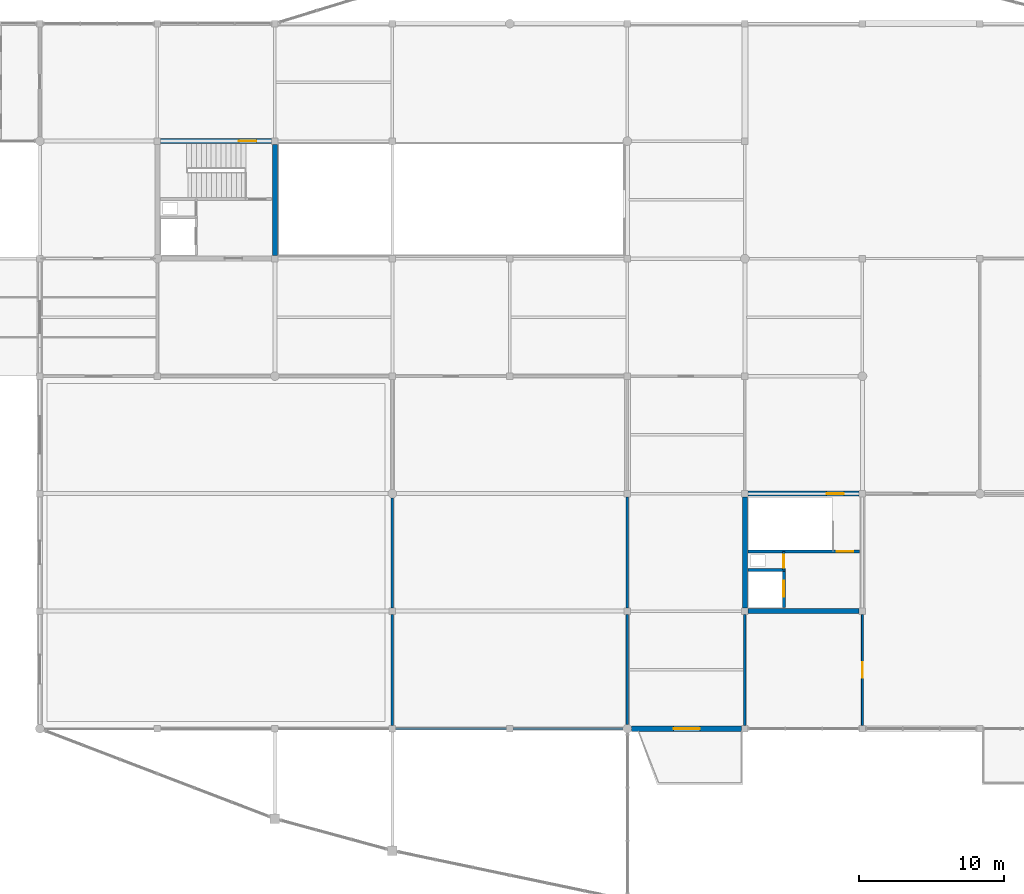
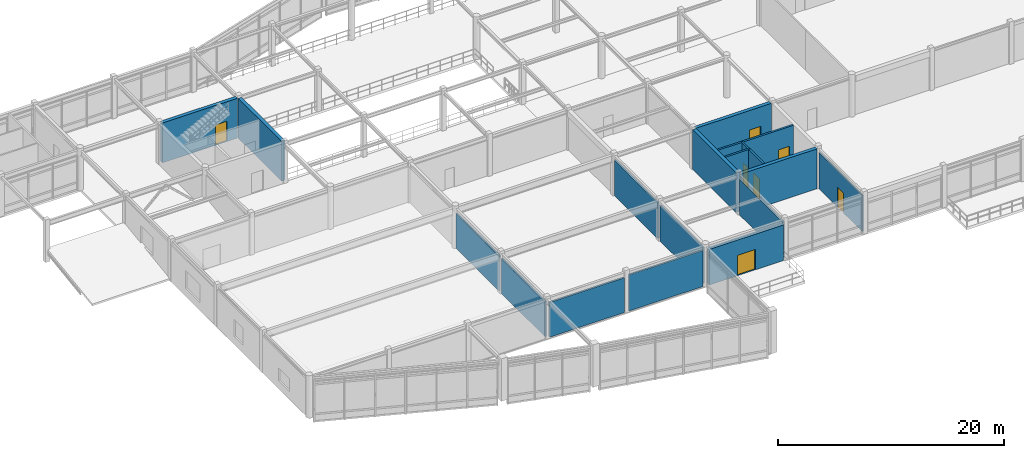
# One storey, part 64 of 93: 18 walls, 7 doors, 7 openings.
"""IFC4 building model written with IfcOpenShell, lengths in metres."""

from ifc_helpers import new_model, si_unit, direction, frame, frame_2d, origin, place, context, subcontext, project, spatial, rectangle, extrude, material, layer, layer_set, type_object, element, fill, save


model = new_model("IFC4")

# Units and contexts
model_context = context("Model", 3, precision=1e-05, world=origin(), true_north=direction((0.0, 1.0)))
body_context = subcontext(model_context, "Body", "Model", "MODEL_VIEW")
ifc_project = project(units=[si_unit("LENGTHUNIT", "METRE"), si_unit("AREAUNIT", "SQUARE_METRE"), si_unit("VOLUMEUNIT", "CUBIC_METRE"), si_unit("PLANEANGLEUNIT", "RADIAN"), si_unit("MASSUNIT", "GRAM", prefix="KILO")], contexts=[model_context])

# Site, building, storey
site_placement = place(None, origin())
site = spatial("IfcSite", under=ifc_project, at=site_placement, CompositionType="ELEMENT")
building_placement = place(site_placement, origin())
building = spatial("IfcBuilding", under=site, at=building_placement, Name="Vaudrelin Polytechnic", CompositionType="ELEMENT")
storey_placement = place(building_placement, frame((0.0, 0.0, 5.10009765625)))
storey = spatial("IfcBuildingStorey", under=building, at=storey_placement, Name="L01", CompositionType="ELEMENT", Elevation=5.10009765625)

# Wall, opening, door
ifc_material_1 = material(Name="Precast concrete 35 MPa with standing-seam zinc rainscreen", Category="concrete")
ifc_layer_1 = layer(ifc_material_1, 0.360107421875)
ifc_layer_set_1 = layer_set([ifc_layer_1], Name="Precast concrete 35 MPa with standing-seam zinc rainscreen")
wall_type_1 = type_object("IfcWallType", Name="WAL-EW-ZINC360", PredefinedType="STANDARD", material=ifc_layer_set_1)
wall_1_placement = place(storey_placement, frame((81.298095703125, 0.0, 0.0), z_axis=(0.0, 0.0, 1.0), x_axis=(1.0, 0.0, 0.0)))
wall_1 = element("IfcWall", 1, at=wall_1_placement, inside=storey, type_object=wall_type_1, Name="Exterior wall L01 S_V3_00", PredefinedType="STANDARD", context=body_context, shape_type="SweptSolid", body=[
    extrude(rectangle(XDim=7.578857421875, YDim=0.360107421875, at=frame_2d((3.78955078125, 0.0))), origin(), (0.0, 0.0, 1.0), 3.848876953125),
])
opening_1_placement = place(wall_1_placement, frame((4.689453125, 0.0, 0.0), z_axis=(0.0, 0.0, 1.0), x_axis=(-1.0, 0.0, 0.0)))
opening_1 = element("IfcOpeningElement", 2, at=opening_1_placement, cuts=wall_1, Name="Opening TD-01-01", PredefinedType="OPENING", context=body_context, shape_type="SweptSolid", body=[
    extrude(rectangle(XDim=1.800048828125, YDim=2.199951171875, at=frame_2d((0.89990234375, 1.10009765625))), frame((0.0, 0.18994140625, 0.0), z_axis=(0.0, -1.0, 0.0), x_axis=(1.0, 0.0, 0.0)), (0.0, 0.0, 1.0), 0.380126953125),
])
ifc_material_2 = material(Name="Thermally broken anodised aluminium AA 6063-T6", Category="aluminium")
door_type_1 = type_object("IfcDoorType", Name="DOR-ED-03", OperationType="DOUBLE_SWING_LEFT", PredefinedType="DOOR", material=ifc_material_2)
door_1_placement = place(opening_1_placement, origin())
door_1 = element("IfcDoor", 3, at=door_1_placement, inside=storey, type_object=door_type_1, Name="Exterior exit door TD-01-01", OperationType="DOUBLE_SWING_LEFT", OverallHeight=2.199951171875, OverallWidth=1.800048828125, PredefinedType="DOOR", context=body_context, shape_type="SweptSolid", body=[
    extrude(rectangle(XDim=1.800048828125, YDim=2.199951171875, at=frame_2d((0.89990234375, 1.10009765625))), frame((0.0, 0.02490234375, 0.0), z_axis=(0.0, -1.0, 0.0), x_axis=(1.0, 0.0, 0.0)), (0.0, 0.0, 1.0), 0.050048828125),
])
fill(opening_1, door_1)

# Walls
ifc_material_3 = material(Name="Acoustic double-stud gypsum & mineral-wool partition", Category="gypsum")
ifc_layer_2 = layer(ifc_material_3, 0.179931640625)
ifc_layer_set_2 = layer_set([ifc_layer_2], Name="Acoustic double-stud gypsum & mineral-wool partition")
wall_type_2 = type_object("IfcWallType", Name="WAL-PW-AC180", PredefinedType="PARTITIONING", material=ifc_layer_set_2)
wall_2_placement = place(storey_placement, frame((64.800048828125, 0.222900390625, 0.0), z_axis=(0.0, 0.0, 1.0), x_axis=(0.0, 1.0, 0.0)))
element("IfcWall", 4, at=wall_2_placement, inside=storey, type_object=wall_type_2, Name="Partition L01-007 E", PredefinedType="PARTITIONING", context=body_context, shape_type="SweptSolid", body=[
    extrude(rectangle(XDim=7.654052734375, YDim=0.179931640625, at=frame_2d((3.8271484375, 0.0))), origin(), (0.0, 0.0, 1.0), 3.762939453125),
])
wall_3_placement = place(storey_placement, frame((64.800048828125, 8.322998046875, 0.0), z_axis=(0.0, 0.0, 1.0), x_axis=(0.0, 1.0, 0.0)))
element("IfcWall", 5, at=wall_3_placement, inside=storey, type_object=wall_type_2, Name="Partition L01-007 E", PredefinedType="PARTITIONING", context=body_context, shape_type="SweptSolid", body=[
    extrude(rectangle(XDim=7.5791015625, YDim=0.179931640625, at=frame_2d((3.78955078125, 0.0))), origin(), (0.0, 0.0, 1.0), 3.77880859375),
])
wall_4_placement = place(storey_placement, frame((81.0, 0.298095703125, 0.0), z_axis=(0.0, 0.0, 1.0), x_axis=(0.0, 1.0, 0.0)))
element("IfcWall", 6, at=wall_4_placement, inside=storey, type_object=wall_type_2, Name="Partition L01-008 E", PredefinedType="PARTITIONING", context=body_context, shape_type="SweptSolid", body=[
    extrude(rectangle(XDim=7.578857421875, YDim=0.179931640625, at=frame_2d((3.78955078125, 0.0))), origin(), (0.0, 0.0, 1.0), 3.848876953125),
])
wall_5_placement = place(storey_placement, frame((81.0, 8.322998046875, 0.0), z_axis=(0.0, 0.0, 1.0), x_axis=(0.0, 1.0, 0.0)))
element("IfcWall", 7, at=wall_5_placement, inside=storey, type_object=wall_type_2, Name="Partition L01-008 E", PredefinedType="PARTITIONING", context=body_context, shape_type="SweptSolid", body=[
    extrude(rectangle(XDim=7.654052734375, YDim=0.179931640625, at=frame_2d((3.8271484375, 0.0))), origin(), (0.0, 0.0, 1.0), 3.851806640625),
])
wall_6_placement = place(storey_placement, frame((65.02294921875, 0.0, 0.0), z_axis=(0.0, 0.0, 1.0), x_axis=(1.0, 0.0, 0.0)))
element("IfcWall", 8, at=wall_6_placement, inside=storey, type_object=wall_type_2, Name="Partition L01-008 S", PredefinedType="PARTITIONING", context=body_context, shape_type="SweptSolid", body=[
    extrude(rectangle(XDim=7.654052734375, YDim=0.179931640625, at=frame_2d((3.8271484375, 0.0))), origin(), (0.0, 0.0, 1.0), 3.762939453125),
])
wall_7_placement = place(storey_placement, frame((73.123046875, 0.0, 0.0), z_axis=(0.0, 0.0, 1.0), x_axis=(1.0, 0.0, 0.0)))
element("IfcWall", 9, at=wall_7_placement, inside=storey, type_object=wall_type_2, Name="Partition L01-008 S", PredefinedType="PARTITIONING", context=body_context, shape_type="SweptSolid", body=[
    extrude(rectangle(XDim=7.578857421875, YDim=0.179931640625, at=frame_2d((3.78955078125, 0.0))), origin(), (0.0, 0.0, 1.0), 3.89697265625),
])
wall_8_placement = place(storey_placement, frame((89.10009765625, 0.222900390625, 0.0), z_axis=(0.0, 0.0, 1.0), x_axis=(0.0, 1.0, 0.0)))
element("IfcWall", 10, at=wall_8_placement, inside=storey, type_object=wall_type_2, Name="Partition L01-014 E", PredefinedType="PARTITIONING", context=body_context, shape_type="SweptSolid", body=[
    extrude(rectangle(XDim=7.654052734375, YDim=0.179931640625, at=frame_2d((3.8271484375, 0.0))), origin(), (0.0, 0.0, 1.0), 3.851806640625),
])

# Wall, opening, door
ifc_material_4 = material(Name="Fire-rated steel-stud gypsum compartment wall", Category="steel")
ifc_layer_3 = layer(ifc_material_4, 0.14990234375)
ifc_layer_set_3 = layer_set([ifc_layer_3], Name="Fire-rated steel-stud gypsum compartment wall")
wall_type_3 = type_object("IfcWallType", Name="WAL-PW-FIRE60", PredefinedType="PARTITIONING", material=ifc_layer_set_3)
wall_9_placement = place(storey_placement, frame((91.780029296875, 10.949951171875, 0.0), z_axis=(0.0, 0.0, 1.0), x_axis=(0.0, 1.0, 0.0)))
wall_9 = element("IfcWall", 11, at=wall_9_placement, inside=storey, type_object=wall_type_3, Name="Core C5 riser enclosure wall L01", PredefinedType="PARTITIONING", context=body_context, shape_type="SweptSolid", body=[
    extrude(rectangle(XDim=1.260009765625, YDim=0.14990234375, at=frame_2d((0.6298828125, 0.0))), origin(), (0.0, 0.0, 1.0), 4.31201171875),
])
opening_2_placement = place(wall_9_placement, frame((0.139892578125, 0.0, 0.0)))
opening_2 = element("IfcOpeningElement", 12, at=opening_2_placement, cuts=wall_9, Name="Opening D-L01-083", PredefinedType="OPENING", context=body_context, shape_type="SweptSolid", body=[
    extrude(rectangle(XDim=0.89990234375, YDim=2.14990234375, at=frame_2d((0.449951171875, 1.074951171875))), frame((0.0, 0.0849609375, 0.0), z_axis=(0.0, -1.0, 0.0), x_axis=(1.0, 0.0, 0.0)), (0.0, 0.0, 1.0), 0.169921875),
])
ifc_material_5 = material(Name="Pressed galvanised steel acoustic leaf", Category="steel")
door_type_2 = type_object("IfcDoorType", Name="DOR-ID-RSR1", OperationType="NOTDEFINED", PredefinedType="DOOR", material=ifc_material_5)
door_2_placement = place(opening_2_placement, origin())
door_2 = element("IfcDoor", 13, at=door_2_placement, inside=storey, type_object=door_type_2, Name="Core C5 riser access door L01", OperationType="SINGLE_SWING_RIGHT", OverallHeight=2.14990234375, OverallWidth=0.89990234375, PredefinedType="DOOR", context=body_context, shape_type="SweptSolid", body=[
    extrude(rectangle(XDim=0.89990234375, YDim=2.14990234375, at=frame_2d((0.449951171875, 1.074951171875))), frame((0.0, 0.02490234375, 0.0), z_axis=(0.0, -1.0, 0.0), x_axis=(1.0, 0.0, 0.0)), (0.0, 0.0, 1.0), 0.050048828125),
])
fill(opening_2, door_2)

ifc_material_6 = material(Name="Acoustic steel-stud office & study room partition", Category="steel")
ifc_layer_4 = layer(ifc_material_6, 0.135009765625)
ifc_layer_set_4 = layer_set([ifc_layer_4], Name="Acoustic steel-stud office & study room partition")
wall_type_4 = type_object("IfcWallType", Name="WAL-PW-OFF135", PredefinedType="PARTITIONING", material=ifc_layer_set_4)
wall_10_placement = place(storey_placement, frame((97.199951171875, 0.222900390625, 0.0), z_axis=(0.0, 0.0, 1.0), x_axis=(0.0, 1.0, 0.0)))
wall_10 = element("IfcWall", 14, at=wall_10_placement, inside=storey, type_object=wall_type_4, Name="Partition L01-013 W", PredefinedType="PARTITIONING", context=body_context, shape_type="SweptSolid", body=[
    extrude(rectangle(XDim=7.654052734375, YDim=0.135009765625, at=frame_2d((3.8271484375, 0.0))), origin(), (0.0, 0.0, 1.0), 3.90185546875),
])
opening_3_placement = place(wall_10_placement, frame((3.287109375, 0.0, 0.0)))
opening_3 = element("IfcOpeningElement", 15, at=opening_3_placement, cuts=wall_10, Name="Opening D-L01-466", PredefinedType="OPENING", context=body_context, shape_type="SweptSolid", body=[
    extrude(rectangle(XDim=1.080078125, YDim=2.14990234375, at=frame_2d((0.5400390625, 1.074951171875))), frame((0.0, 0.07763671875, 0.0), z_axis=(0.0, -1.0, 0.0), x_axis=(1.0, 0.0, 0.0)), (0.0, 0.0, 1.0), 0.155029296875),
])
ifc_material_7 = material(Name="Solid-core birch veneer acoustic leaf", Category="wood")
door_type_3 = type_object("IfcDoorType", Name="DOR-ID-SEM2", OperationType="NOTDEFINED", PredefinedType="DOOR", material=ifc_material_7)
door_3_placement = place(opening_3_placement, origin())
door_3 = element("IfcDoor", 16, at=door_3_placement, inside=storey, type_object=door_type_3, Name="Student Societies South Alcove door L01-033", OperationType="SINGLE_SWING_LEFT", OverallHeight=2.14990234375, OverallWidth=1.080078125, PredefinedType="DOOR", context=body_context, shape_type="SweptSolid", body=[
    extrude(rectangle(XDim=1.080078125, YDim=2.14990234375, at=frame_2d((0.5400390625, 1.074951171875))), frame((0.0, 0.02490234375, 0.0), z_axis=(0.0, -1.0, 0.0), x_axis=(1.0, 0.0, 0.0)), (0.0, 0.0, 1.0), 0.050048828125),
])
fill(opening_3, door_3)

ifc_material_8 = material(Name="Concrete 40 MPa", Category="concrete")
ifc_layer_5 = layer(ifc_material_8, 0.199951171875)
ifc_layer_set_5 = layer_set([ifc_layer_5], Name="Concrete 40 MPa")
wall_type_5 = type_object("IfcWallType", Name="WAL-SW-CORE200", PredefinedType="SHEAR", material=ifc_layer_set_5)
wall_11_placement = place(storey_placement, frame((89.320068359375, 12.2099609375, 0.0), z_axis=(0.0, 0.0, 1.0), x_axis=(1.0, 0.0, 0.0)))
wall_11 = element("IfcWall", 17, at=wall_11_placement, inside=storey, type_object=wall_type_5, Name="Core C5 stair enclosure wall L01", PredefinedType="SHEAR", context=body_context, shape_type="SweptSolid", body=[
    extrude(rectangle(XDim=7.659912109375, YDim=0.199951171875, at=frame_2d((3.830078125, 0.0))), origin(), (0.0, 0.0, 1.0), 4.31201171875),
])
opening_4_placement = place(wall_11_placement, frame((6.110107421875, 0.0, 0.0)))
opening_4 = element("IfcOpeningElement", 18, at=opening_4_placement, cuts=wall_11, Name="Opening D-L01-082", PredefinedType="OPENING", context=body_context, shape_type="SweptSolid", body=[
    extrude(rectangle(XDim=1.14990234375, YDim=2.199951171875, at=frame_2d((0.574951171875, 1.10009765625))), frame((0.0, 0.10986328125, 0.0), z_axis=(0.0, -1.0, 0.0), x_axis=(1.0, 0.0, 0.0)), (0.0, 0.0, 1.0), 0.219970703125),
])
door_type_4 = type_object("IfcDoorType", Name="DOR-ID-ST1", OperationType="NOTDEFINED", PredefinedType="DOOR", material=ifc_material_5)
door_4_placement = place(opening_4_placement, origin())
door_4 = element("IfcDoor", 19, at=door_4_placement, inside=storey, type_object=door_type_4, Name="Core C5 exit stair door L01", OperationType="SINGLE_SWING_LEFT", OverallHeight=2.199951171875, OverallWidth=1.14990234375, PredefinedType="DOOR", context=body_context, shape_type="SweptSolid", body=[
    extrude(rectangle(XDim=1.14990234375, YDim=2.199951171875, at=frame_2d((0.574951171875, 1.10009765625))), frame((0.0, 0.02490234375, 0.0), z_axis=(0.0, -1.0, 0.0), x_axis=(1.0, 0.0, 0.0)), (0.0, 0.0, 1.0), 0.050048828125),
])
fill(opening_4, door_4)

wall_12_placement = place(storey_placement, frame((91.780029296875, 8.35009765625, 0.0), z_axis=(0.0, 0.0, 1.0), x_axis=(0.0, 1.0, 0.0)))
wall_12 = element("IfcWall", 20, at=wall_12_placement, inside=storey, type_object=wall_type_5, Name="Lift LF-05 shaft front wall L01", PredefinedType="SHEAR", context=body_context, shape_type="SweptSolid", body=[
    extrude(rectangle(XDim=2.599853515625, YDim=0.199951171875, at=frame_2d((1.2998046875, 0.0))), origin(), (0.0, 0.0, 1.0), 4.31201171875),
])
opening_5_placement = place(wall_12_placement, frame((0.75, 0.0, 0.0)))
opening_5 = element("IfcOpeningElement", 21, at=opening_5_placement, cuts=wall_12, Name="Opening LD-LF-05-L01", PredefinedType="OPENING", context=body_context, shape_type="SweptSolid", body=[
    extrude(rectangle(XDim=1.10009765625, YDim=2.199951171875, at=frame_2d((0.550048828125, 1.10009765625))), frame((0.0, 0.10986328125, 0.0), z_axis=(0.0, -1.0, 0.0), x_axis=(1.0, 0.0, 0.0)), (0.0, 0.0, 1.0), 0.219970703125),
])
ifc_material_9 = material(Name="Brushed stainless steel AISI 304", Category="steel")
door_type_5 = type_object("IfcDoorType", Name="DOR-LD-PAX", OperationType="SLIDING_TO_LEFT", PredefinedType="DOOR", material=ifc_material_9)
door_5_placement = place(opening_5_placement, origin())
door_5 = element("IfcDoor", 22, at=door_5_placement, inside=storey, type_object=door_type_5, Name="Lift LF-05 landing door L01", OperationType="SLIDING_TO_LEFT", OverallHeight=2.199951171875, OverallWidth=1.10009765625, PredefinedType="DOOR", context=body_context, shape_type="SweptSolid", body=[
    extrude(rectangle(XDim=1.10009765625, YDim=2.199951171875, at=frame_2d((0.550048828125, 1.10009765625))), frame((0.0, 0.02490234375, 0.0), z_axis=(0.0, -1.0, 0.0), x_axis=(1.0, 0.0, 0.0)), (0.0, 0.0, 1.0), 0.050048828125),
])
fill(opening_5, door_5)

# Wall
wall_13_placement = place(storey_placement, frame((89.320068359375, 10.949951171875, 0.0), z_axis=(0.0, 0.0, 1.0), x_axis=(1.0, 0.0, 0.0)))
element("IfcWall", 23, at=wall_13_placement, inside=storey, type_object=wall_type_5, Name="Lift LF-05 shaft north wall L01", PredefinedType="SHEAR", context=body_context, shape_type="SweptSolid", body=[
    extrude(rectangle(XDim=2.559814453125, YDim=0.199951171875, at=frame_2d((1.27978515625, 0.0))), origin(), (0.0, 0.0, 1.0), 4.31201171875),
])

# Wall, opening, door
ifc_material_10 = material(Name="Concrete 50 MPa", Category="concrete")
ifc_layer_6 = layer(ifc_material_10, 0.35009765625)
ifc_layer_set_6 = layer_set([ifc_layer_6], Name="Concrete 50 MPa")
wall_type_6 = type_object("IfcWallType", Name="WAL-SW-CORE350", PredefinedType="SHEAR", material=ifc_layer_set_6)
wall_14_placement = place(storey_placement, frame((48.822998046875, 40.5, 0.0), z_axis=(0.0, 0.0, 1.0), x_axis=(1.0, 0.0, 0.0)))
wall_14 = element("IfcWall", 24, at=wall_14_placement, inside=storey, type_object=wall_type_6, Name="Core C4 N shear wall L01", PredefinedType="SHEAR", context=body_context, shape_type="SweptSolid", body=[
    extrude(rectangle(XDim=7.654052734375, YDim=0.35009765625, at=frame_2d((3.8271484375, 0.0))), origin(), (0.0, 0.0, 1.0), 4.31201171875),
])
opening_6_placement = place(wall_14_placement, frame((5.404052734375, 0.0, 0.0)))
opening_6 = element("IfcOpeningElement", 25, at=opening_6_placement, cuts=wall_14, Name="Opening D-L01-066", PredefinedType="OPENING", context=body_context, shape_type="SweptSolid", body=[
    extrude(rectangle(XDim=1.199951171875, YDim=2.199951171875, at=frame_2d((0.60009765625, 1.10009765625))), frame((0.0, 0.18505859375, 0.0), z_axis=(0.0, -1.0, 0.0), x_axis=(1.0, 0.0, 0.0)), (0.0, 0.0, 1.0), 0.3701171875),
])
door_type_6 = type_object("IfcDoorType", Name="DOR-ID-LB1", OperationType="NOTDEFINED", PredefinedType="DOOR", material=ifc_material_5)
door_6_placement = place(opening_6_placement, origin())
door_6 = element("IfcDoor", 26, at=door_6_placement, inside=storey, type_object=door_type_6, Name="Core C4 lobby fire door L01", OperationType="SINGLE_SWING_RIGHT", OverallHeight=2.199951171875, OverallWidth=1.199951171875, PredefinedType="DOOR", context=body_context, shape_type="SweptSolid", body=[
    extrude(rectangle(XDim=1.199951171875, YDim=2.199951171875, at=frame_2d((0.60009765625, 1.10009765625))), frame((0.0, 0.02490234375, 0.0), z_axis=(0.0, -1.0, 0.0), x_axis=(1.0, 0.0, 0.0)), (0.0, 0.0, 1.0), 0.050048828125),
])
fill(opening_6, door_6)

# Wall
wall_15_placement = place(storey_placement, frame((56.699951171875, 32.623046875, 0.0), z_axis=(0.0, 0.0, 1.0), x_axis=(0.0, 1.0, 0.0)))
element("IfcWall", 27, at=wall_15_placement, inside=storey, type_object=wall_type_6, Name="Core C4 E shear wall L01", PredefinedType="SHEAR", context=body_context, shape_type="SweptSolid", body=[
    extrude(rectangle(XDim=7.654052734375, YDim=0.35009765625, at=frame_2d((3.8271484375, 0.0))), origin(), (0.0, 0.0, 1.0), 4.31201171875),
])

# Wall, opening, door
wall_16_placement = place(storey_placement, frame((89.322998046875, 16.199951171875, 0.0), z_axis=(0.0, 0.0, 1.0), x_axis=(1.0, 0.0, 0.0)))
wall_16 = element("IfcWall", 28, at=wall_16_placement, inside=storey, type_object=wall_type_6, Name="Core C5 N shear wall L01", PredefinedType="SHEAR", context=body_context, shape_type="SweptSolid", body=[
    extrude(rectangle(XDim=7.654052734375, YDim=0.35009765625, at=frame_2d((3.8271484375, 0.0))), origin(), (0.0, 0.0, 1.0), 4.31201171875),
])
opening_7_placement = place(wall_16_placement, frame((5.404052734375, 0.0, 0.0)))
opening_7 = element("IfcOpeningElement", 29, at=opening_7_placement, cuts=wall_16, Name="Opening D-L01-081", PredefinedType="OPENING", context=body_context, shape_type="SweptSolid", body=[
    extrude(rectangle(XDim=1.199951171875, YDim=2.199951171875, at=frame_2d((0.60009765625, 1.10009765625))), frame((0.0, 0.18505859375, 0.0), z_axis=(0.0, -1.0, 0.0), x_axis=(1.0, 0.0, 0.0)), (0.0, 0.0, 1.0), 0.3701171875),
])
door_7_placement = place(opening_7_placement, origin())
door_7 = element("IfcDoor", 30, at=door_7_placement, inside=storey, type_object=door_type_6, Name="Core C5 lobby fire door L01", OperationType="SINGLE_SWING_RIGHT", OverallHeight=2.199951171875, OverallWidth=1.199951171875, PredefinedType="DOOR", context=body_context, shape_type="SweptSolid", body=[
    extrude(rectangle(XDim=1.199951171875, YDim=2.199951171875, at=frame_2d((0.60009765625, 1.10009765625))), frame((0.0, 0.02490234375, 0.0), z_axis=(0.0, -1.0, 0.0), x_axis=(1.0, 0.0, 0.0)), (0.0, 0.0, 1.0), 0.050048828125),
])
fill(opening_7, door_7)

# Walls
for number, where, z_axis, x_axis, name in (
    (31, (89.10009765625, 8.322998046875, 0.0), (0.0, 0.0, 1.0), (0.0, 1.0, 0.0), "Core C5 W shear wall L01"),
    (32, (89.322998046875, 8.10009765625, 0.0), (0.0, 0.0, 1.0), (1.0, 0.0, 0.0), "Core C5 S shear wall L01"),
):
    element("IfcWall", number, at=place(storey_placement, frame(where, z_axis=z_axis, x_axis=x_axis)), inside=storey, type_object=wall_type_6, Name=name, PredefinedType="SHEAR", context=body_context, shape_type="SweptSolid", body=[
        extrude(rectangle(XDim=7.654052734375, YDim=0.35009765625, at=frame_2d((3.8271484375, 0.0))), origin(), (0.0, 0.0, 1.0), 4.31201171875),
    ])

save(model, "model.ifc")
